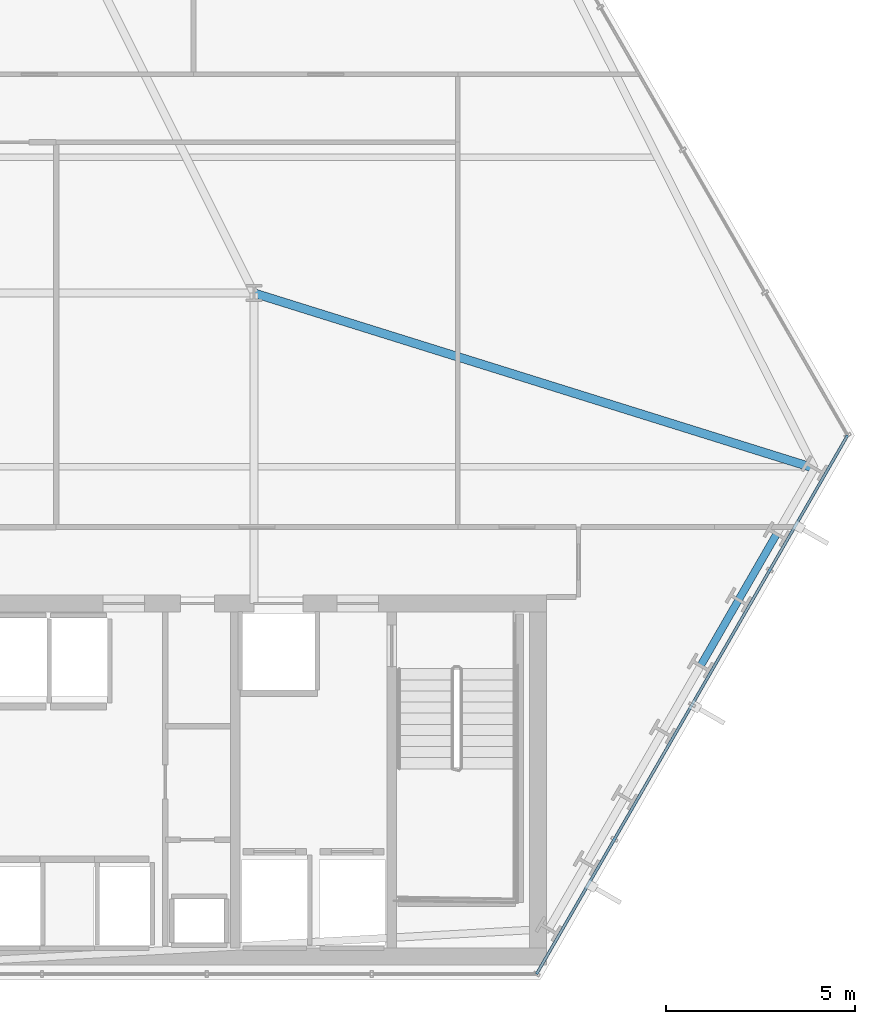
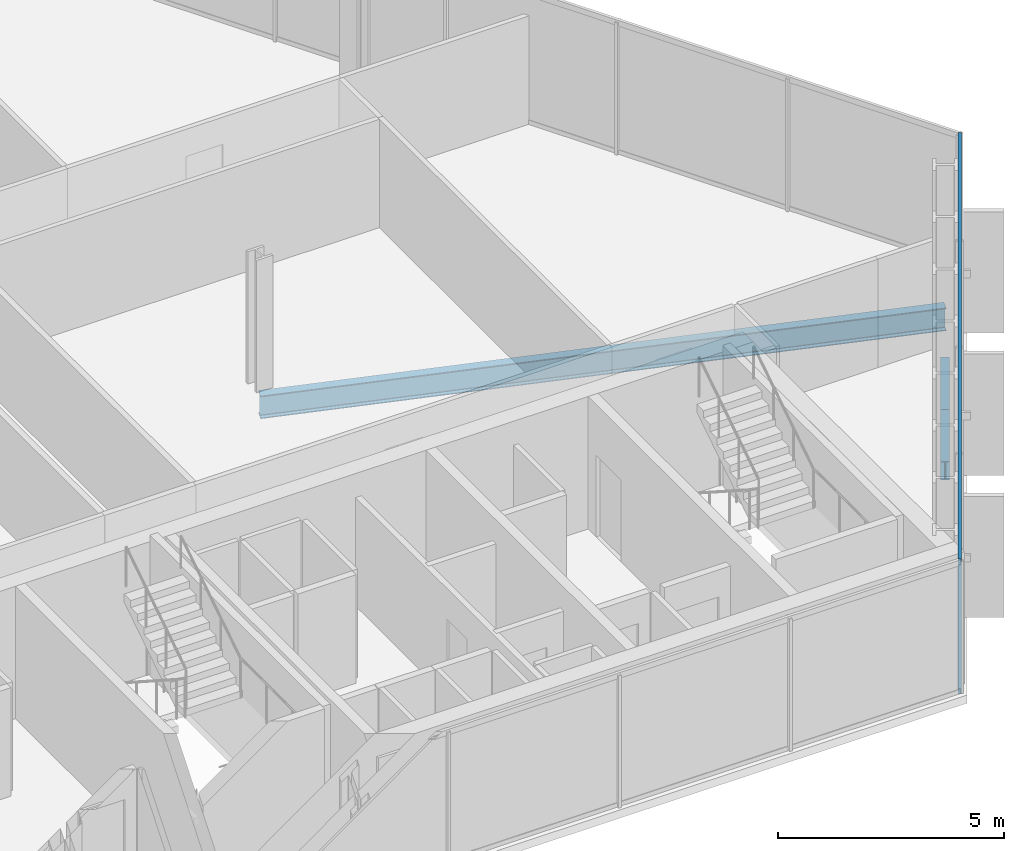
# One storey, part 15 of 33: 3 beams, 2 members, 1 element without a shape of its own.
"""IFC4 building model written with IfcOpenShell, lengths in metres."""

from ifc_helpers import new_model, si_unit, direction, frame, origin, origin_2d, place, context, subcontext, project, spatial, hollow_rectangle, i_section, extrude, material, layer, layer_set, material_profile, profile_set, type_object, element, aggregate, save


model = new_model("IFC4")

# Units and contexts
model_context = context("Model", 3, precision=1e-05, world=origin(), true_north=direction((0.0, 1.0)))
body_context = subcontext(model_context, "Body", "Model", "MODEL_VIEW")
ifc_project = project(units=[si_unit("LENGTHUNIT", "METRE"), si_unit("AREAUNIT", "SQUARE_METRE"), si_unit("VOLUMEUNIT", "CUBIC_METRE"), si_unit("PLANEANGLEUNIT", "RADIAN"), si_unit("MASSUNIT", "GRAM", prefix="KILO")], contexts=[model_context])

# Site, building, storey
site_placement = place(None, origin())
site = spatial("IfcSite", under=ifc_project, at=site_placement, CompositionType="ELEMENT")
building_placement = place(site_placement, origin())
building = spatial("IfcBuilding", under=site, at=building_placement, Name="Ndaravel Arena Tower", CompositionType="ELEMENT")
storey_placement = place(building_placement, frame((0.0, 0.0, 39.800048828125)))
storey = spatial("IfcBuildingStorey", under=building, at=storey_placement, Name="L07", CompositionType="ELEMENT", Elevation=39.800048828125)

# Beams
ifc_material_1 = material(Name="Steel S355", Category="steel")
ifc_material_profile_1 = material_profile(ifc_material_1, i_section(OverallWidth=0.230224609375, OverallDepth=0.6171875, WebThickness=0.01318359375, FlangeThickness=0.022216796875, FilletRadius=0.0126953125, at=origin_2d()), Name="UB 610x229x140")
ifc_profile_set_1 = profile_set([ifc_material_profile_1], Name="Steel S355")
beam_type_1 = type_object("IfcBeamType", Name="BM-GIRD-UB610B", PredefinedType="BEAM", material=ifc_profile_set_1)
beam_1_placement = place(storey_placement, frame((64.654052734375, 18.55810546875, -0.528564453125), z_axis=(-0.95448053632, 0.298273206618, 0.0), x_axis=(-0.298273206618, -0.95448053632, 0.0)))
element("IfcBeam", 1, at=beam_1_placement, inside=storey, type_object=beam_type_1, Name="L07 Radial Floor Girder FG-09", PredefinedType="BEAM", context=body_context, shape_type="SweptSolid", body=[
    extrude(i_section(OverallWidth=0.230224609375, OverallDepth=0.6171875, WebThickness=0.01318359375, FlangeThickness=0.022216796875, FilletRadius=0.0126953125, at=origin_2d()), origin(), (0.0, 0.0, 1.0), 15.5625),
])
ifc_material_2 = material(Name="Steel S355", Category="steel")
ifc_material_profile_2 = material_profile(ifc_material_2, i_section(OverallWidth=0.199951171875, OverallDepth=0.5, WebThickness=0.01025390625, FlangeThickness=0.01611328125, FilletRadius=0.02099609375, at=origin_2d()), Name="IPE 500")
ifc_profile_set_2 = profile_set([ifc_material_profile_2], Name="Steel S355")
beam_type_2 = type_object("IfcBeamType", Name="BM-SPAN-IPE500", PredefinedType="SPANDREL", material=ifc_profile_set_2)
beam_2_placement = place(storey_placement, frame((61.6337890625, 13.326904296875, -0.469970703125), z_axis=(0.500051323872, 0.865995769906, 0.0), x_axis=(-0.865995769906, 0.500051323872, 0.0)))
element("IfcBeam", 2, at=beam_2_placement, inside=storey, type_object=beam_type_2, Name="L07 Perimeter Spandrel Beam SP-06", PredefinedType="SPANDREL", context=body_context, shape_type="SweptSolid", body=[
    extrude(i_section(OverallWidth=0.199951171875, OverallDepth=0.5, WebThickness=0.01025390625, FlangeThickness=0.01611328125, FilletRadius=0.02099609375, at=origin_2d()), origin(), (0.0, 0.0, 1.0), 2.013427734375),
])
beam_3_placement = place(storey_placement, frame((62.640625, 15.070556640625, -0.469970703125), z_axis=(0.499998820369, 0.866026084844, 0.0), x_axis=(-0.866026084844, 0.499998820369, 0.0)))
element("IfcBeam", 3, at=beam_3_placement, inside=storey, type_object=beam_type_2, Name="L07 Perimeter Spandrel Beam SP-07", PredefinedType="SPANDREL", context=body_context, shape_type="SweptSolid", body=[
    extrude(i_section(OverallWidth=0.199951171875, OverallDepth=0.5, WebThickness=0.01025390625, FlangeThickness=0.01611328125, FilletRadius=0.02099609375, at=origin_2d()), origin(), (0.0, 0.0, 1.0), 2.013671875),
])

# Curtain wall, members
ifc_material_3 = material(Name="Aluminium", Category="aluminium")
ifc_layer = layer(ifc_material_3, 0.179931640625)
ifc_layer_set = layer_set([ifc_layer], Name="Aluminium")
curtain_wall_type = type_object("IfcCurtainWallType", Name="CW-SYS-01", PredefinedType="NOTDEFINED", material=ifc_layer_set)
curtain_wall_placement = place(storey_placement, origin())
curtain_wall = element("IfcCurtainWall", 4, at=curtain_wall_placement, inside=storey, type_object=curtain_wall_type, Name="L07 Faceted Crystal Curtain Wall CW-L07-E02", PredefinedType="NOTDEFINED")
ifc_material_4 = material(Name="Aluminium", Category="aluminium")
ifc_material_profile_3 = material_profile(ifc_material_4, hollow_rectangle(XDim=0.074951171875, YDim=0.14990234375, WallThickness=0.00390625, at=origin_2d()), Name="CW TRANSOM 75x150x4")
ifc_profile_set_3 = profile_set([ifc_material_profile_3], Name="Aluminium")
member_type = type_object("IfcMemberType", Name="MEM-CW-TRN150", PredefinedType="USERDEFINED", material=ifc_profile_set_3)
member_1_placement = place(storey_placement, frame((57.2880859375, 5.159912109375, 0.0400390625), z_axis=(0.500009742867, 0.866019778664, 0.0), x_axis=(-0.866019778664, 0.500009742867, 0.0)))
member_1 = element("IfcMember", 5, at=member_1_placement, type_object=member_type, Name="CW-L07-E02 Transom 01", ObjectType="TRANSOM", PredefinedType="USERDEFINED", context=body_context, shape_type="SweptSolid", body=[
    extrude(hollow_rectangle(XDim=0.074951171875, YDim=0.14990234375, WallThickness=0.00390625, at=origin_2d()), origin(), (0.0, 0.0, 1.0), 16.477783203125),
])
member_2_placement = place(storey_placement, frame((57.2880859375, 5.159912109375, 3.5400390625), z_axis=(0.500009742867, 0.866019778664, 0.0), x_axis=(-0.866019778664, 0.500009742867, 0.0)))
member_2 = element("IfcMember", 6, at=member_2_placement, type_object=member_type, Name="CW-L07-E02 Transom 02", ObjectType="TRANSOM", PredefinedType="USERDEFINED", context=body_context, shape_type="SweptSolid", body=[
    extrude(hollow_rectangle(XDim=0.074951171875, YDim=0.14990234375, WallThickness=0.00390625, at=origin_2d()), origin(), (0.0, 0.0, 1.0), 16.477783203125),
])
aggregate(curtain_wall, [member_1, member_2])

save(model, "model.ifc")
